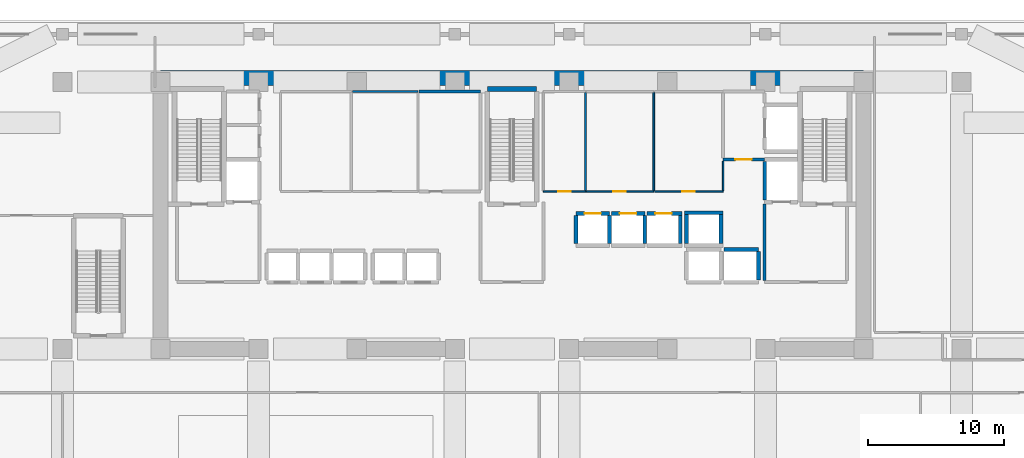
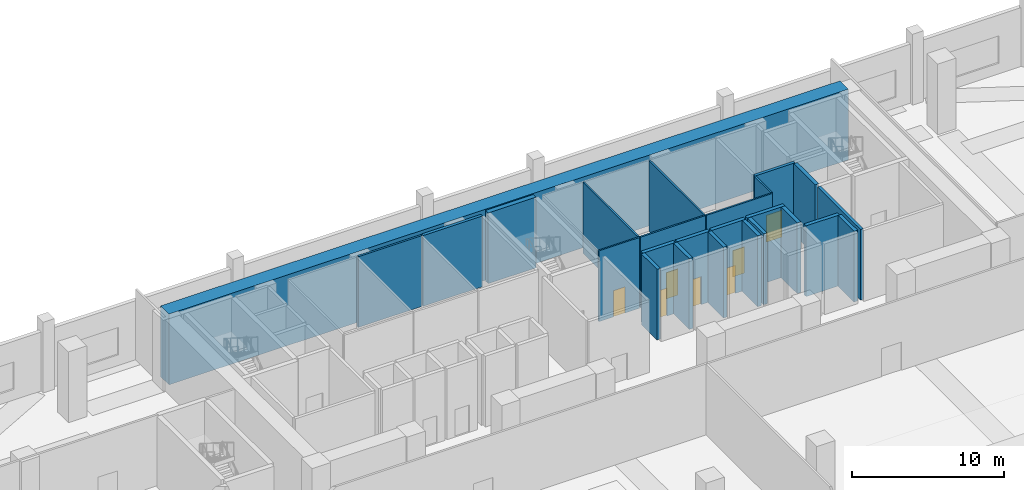
# One storey, part 19 of 25: 25 walls, 7 doors, 7 openings.
"""IFC4 building model written with IfcOpenShell, lengths in metres."""

from ifc_helpers import new_model, si_unit, direction, frame, frame_2d, origin, place, context, subcontext, project, spatial, rectangle, extrude, material, layer, layer_set, type_object, element, fill, save


model = new_model("IFC4")

# Units and contexts
model_context = context("Model", 3, precision=1e-05, world=origin(), true_north=direction((0.0, 1.0)))
body_context = subcontext(model_context, "Body", "Model", "MODEL_VIEW")
ifc_project = project(units=[si_unit("LENGTHUNIT", "METRE"), si_unit("AREAUNIT", "SQUARE_METRE"), si_unit("VOLUMEUNIT", "CUBIC_METRE"), si_unit("PLANEANGLEUNIT", "RADIAN"), si_unit("MASSUNIT", "GRAM", prefix="KILO")], contexts=[model_context])

# Site, building, storey
site_placement = place(None, origin())
site = spatial("IfcSite", under=ifc_project, at=site_placement, CompositionType="ELEMENT")
building_placement = place(site_placement, origin())
building = spatial("IfcBuilding", under=site, at=building_placement, Name="Kaelvorn Grand Hotel", CompositionType="ELEMENT")
storey_placement = place(building_placement, frame((0.0, 0.0, 8.0)))
storey = spatial("IfcBuildingStorey", under=building, at=storey_placement, Name="L01", CompositionType="ELEMENT", Elevation=8.0)

# Wall
ifc_material_1 = material(Name="Concrete C80/95", Category="concrete")
ifc_layer_1 = layer(ifc_material_1, 1.10009765625)
ifc_layer_set_1 = layer_set([ifc_layer_1], Name="Concrete C80/95")
wall_type_1 = type_object("IfcWallType", Name="WL-CORE-1100-C80", PredefinedType="SHEAR", material=ifc_layer_set_1)
wall_1_placement = place(storey_placement, frame((16.199951171875, 49.300048828125, 0.0), z_axis=(0.0, 0.0, 1.0), x_axis=(1.0, 0.0, 0.0)))
element("IfcWall", 1, at=wall_1_placement, inside=storey, type_object=wall_type_1, Name="L01 Rear-Core North Shear Wall", PredefinedType="SHEAR", context=body_context, shape_type="SweptSolid", body=[
    extrude(rectangle(XDim=51.60009765625, YDim=1.10009765625, at=frame_2d((25.800048828125, 0.0))), origin(), (0.0, 0.0, 1.0), 5.679931640625),
])

# Wall, opening, door
ifc_material_2 = material(Name="Moisture-Resistant Tile & Stud Board")
ifc_layer_2 = layer(ifc_material_2, 0.125)
ifc_layer_set_2 = layer_set([ifc_layer_2], Name="Moisture-Resistant Tile & Stud Board")
wall_type_2 = type_object("IfcWallType", Name="WL-PART-125-WET", PredefinedType="PARTITIONING", material=ifc_layer_set_2)
wall_2_placement = place(storey_placement, frame((44.300048828125, 40.949951171875, 0.0), z_axis=(0.0, 0.0, 1.0), x_axis=(1.0, 0.0, 0.0)))
wall_2 = element("IfcWall", 2, at=wall_2_placement, inside=storey, type_object=wall_type_2, Name="L01 Accessible WC S Partition", PredefinedType="PARTITIONING", context=body_context, shape_type="SweptSolid", body=[
    extrude(rectangle(XDim=3.099853515625, YDim=0.125, at=frame_2d((1.5498046875, 0.0))), origin(), (0.0, 0.0, 1.0), 5.679931640625),
])
opening_1_placement = place(wall_2_placement, frame((1.10009765625, 0.0, 0.0)))
opening_1 = element("IfcOpeningElement", 3, at=opening_1_placement, cuts=wall_2, Name="Opening DI4", PredefinedType="OPENING", context=body_context, shape_type="SweptSolid", body=[
    extrude(rectangle(XDim=0.89990234375, YDim=2.10009765625, at=frame_2d((0.449951171875, 1.050048828125))), frame((0.0, 0.072509765625, 0.0), z_axis=(0.0, -1.0, 0.0), x_axis=(1.0, 0.0, 0.0)), (0.0, 0.0, 1.0), 0.14501953125),
])
ifc_material_3 = material(Name="Timber Veneer Leaf", Category="wood")
door_type_1 = type_object("IfcDoorType", Name="DR-INT-BATH-900x2100", OperationType="NOTDEFINED", PredefinedType="DOOR", material=ifc_material_3)
door_1_placement = place(opening_1_placement, origin())
door_1 = element("IfcDoor", 4, at=door_1_placement, inside=storey, type_object=door_type_1, Name="L01 Accessible WC Door", OperationType="SINGLE_SWING_RIGHT", OverallHeight=2.10009765625, OverallWidth=0.89990234375, PredefinedType="DOOR", context=body_context, shape_type="SweptSolid", body=[
    extrude(rectangle(XDim=0.89990234375, YDim=2.10009765625, at=frame_2d((0.449951171875, 1.050048828125))), frame((0.0, 0.02490234375, 0.0), z_axis=(0.0, -1.0, 0.0), x_axis=(1.0, 0.0, 0.0)), (0.0, 0.0, 1.0), 0.050048828125),
])
fill(opening_1, door_1)

# Wall
wall_3_placement = place(storey_placement, frame((47.39990234375, 41.017578125, 0.0), z_axis=(0.0, 0.0, 1.0), x_axis=(0.0, 1.0, 0.0)))
element("IfcWall", 5, at=wall_3_placement, inside=storey, type_object=wall_type_2, Name="L01 Accessible WC E Partition", PredefinedType="PARTITIONING", context=body_context, shape_type="SweptSolid", body=[
    extrude(rectangle(XDim=7.21484375, YDim=0.125, at=frame_2d((3.607421875, 0.0))), origin(), (0.0, 0.0, 1.0), 5.679931640625),
])

# Wall, opening, door
wall_4_placement = place(storey_placement, frame((47.467529296875, 40.949951171875, 0.0), z_axis=(0.0, 0.0, 1.0), x_axis=(1.0, 0.0, 0.0)))
wall_4 = element("IfcWall", 6, at=wall_4_placement, inside=storey, type_object=wall_type_2, Name="L01 Male Staff & Guest Toilets S Partition", PredefinedType="PARTITIONING", context=body_context, shape_type="SweptSolid", body=[
    extrude(rectangle(XDim=4.932373046875, YDim=0.125, at=frame_2d((2.46630859375, 0.0))), origin(), (0.0, 0.0, 1.0), 5.679931640625),
])
opening_2_placement = place(wall_4_placement, frame((1.982421875, 0.0, 0.0)))
opening_2 = element("IfcOpeningElement", 7, at=opening_2_placement, cuts=wall_4, Name="Opening DI4", PredefinedType="OPENING", context=body_context, shape_type="SweptSolid", body=[
    extrude(rectangle(XDim=0.89990234375, YDim=2.10009765625, at=frame_2d((0.449951171875, 1.050048828125))), frame((0.0, 0.072509765625, 0.0), z_axis=(0.0, -1.0, 0.0), x_axis=(1.0, 0.0, 0.0)), (0.0, 0.0, 1.0), 0.14501953125),
])
door_2_placement = place(opening_2_placement, origin())
door_2 = element("IfcDoor", 8, at=door_2_placement, inside=storey, type_object=door_type_1, Name="L01 Male Staff & Guest Toilets Door", OperationType="SINGLE_SWING_LEFT", OverallHeight=2.10009765625, OverallWidth=0.89990234375, PredefinedType="DOOR", context=body_context, shape_type="SweptSolid", body=[
    extrude(rectangle(XDim=0.89990234375, YDim=2.10009765625, at=frame_2d((0.449951171875, 1.050048828125))), frame((0.0, 0.02490234375, 0.0), z_axis=(0.0, -1.0, 0.0), x_axis=(1.0, 0.0, 0.0)), (0.0, 0.0, 1.0), 0.050048828125),
])
fill(opening_2, door_2)

# Wall
wall_5_placement = place(storey_placement, frame((52.39990234375, 41.017578125, 0.0), z_axis=(0.0, 0.0, 1.0), x_axis=(0.0, 1.0, 0.0)))
element("IfcWall", 9, at=wall_5_placement, inside=storey, type_object=wall_type_2, Name="L01 Male Staff & Guest Toilets E Partition", PredefinedType="PARTITIONING", context=body_context, shape_type="SweptSolid", body=[
    extrude(rectangle(XDim=7.21484375, YDim=0.125, at=frame_2d((3.607421875, 0.0))), origin(), (0.0, 0.0, 1.0), 5.679931640625),
])

# Wall, opening, door
wall_6_placement = place(storey_placement, frame((52.467529296875, 40.949951171875, 0.0), z_axis=(0.0, 0.0, 1.0), x_axis=(1.0, 0.0, 0.0)))
wall_6 = element("IfcWall", 10, at=wall_6_placement, inside=storey, type_object=wall_type_2, Name="L01 Female Staff & Guest Toilets S Partition", PredefinedType="PARTITIONING", context=body_context, shape_type="SweptSolid", body=[
    extrude(rectangle(XDim=5.032470703125, YDim=0.125, at=frame_2d((2.51611328125, 0.0))), origin(), (0.0, 0.0, 1.0), 5.679931640625),
])
opening_3_placement = place(wall_6_placement, frame((2.032470703125, 0.0, 0.0)))
opening_3 = element("IfcOpeningElement", 11, at=opening_3_placement, cuts=wall_6, Name="Opening DI4", PredefinedType="OPENING", context=body_context, shape_type="SweptSolid", body=[
    extrude(rectangle(XDim=0.89990234375, YDim=2.10009765625, at=frame_2d((0.449951171875, 1.050048828125))), frame((0.0, 0.072509765625, 0.0), z_axis=(0.0, -1.0, 0.0), x_axis=(1.0, 0.0, 0.0)), (0.0, 0.0, 1.0), 0.14501953125),
])
door_3_placement = place(opening_3_placement, origin())
door_3 = element("IfcDoor", 12, at=door_3_placement, inside=storey, type_object=door_type_1, Name="L01 Female Staff & Guest Toilets Door", OperationType="SINGLE_SWING_RIGHT", OverallHeight=2.10009765625, OverallWidth=0.89990234375, PredefinedType="DOOR", context=body_context, shape_type="SweptSolid", body=[
    extrude(rectangle(XDim=0.89990234375, YDim=2.10009765625, at=frame_2d((0.449951171875, 1.050048828125))), frame((0.0, 0.02490234375, 0.0), z_axis=(0.0, -1.0, 0.0), x_axis=(1.0, 0.0, 0.0)), (0.0, 0.0, 1.0), 0.050048828125),
])
fill(opening_3, door_3)

# Walls
wall_7_placement = place(storey_placement, frame((57.5, 41.017578125, 0.0), z_axis=(0.0, 0.0, 1.0), x_axis=(0.0, 1.0, 0.0)))
element("IfcWall", 13, at=wall_7_placement, inside=storey, type_object=wall_type_2, Name="L01 Female Staff & Guest Toilets E Partition", PredefinedType="PARTITIONING", context=body_context, shape_type="SweptSolid", body=[
    extrude(rectangle(XDim=2.16748046875, YDim=0.125, at=frame_2d((1.083740234375, 0.0))), origin(), (0.0, 0.0, 1.0), 5.679931640625),
])
ifc_material_4 = material(Name="Acoustic Gypsum & Stud Partition")
ifc_layer_3 = layer(ifc_material_4, 0.14990234375)
ifc_layer_set_3 = layer_set([ifc_layer_3], Name="Acoustic Gypsum & Stud Partition")
wall_type_3 = type_object("IfcWallType", Name="WL-PART-150-EI60", PredefinedType="PARTITIONING", material=ifc_layer_set_3)
wall_8_placement = place(storey_placement, frame((30.280029296875, 48.300048828125, 0.0), z_axis=(0.0, 0.0, 1.0), x_axis=(1.0, 0.0, 0.0)))
element("IfcWall", 14, at=wall_8_placement, inside=storey, type_object=wall_type_3, Name="L01 Room Service Servery Pantry N Partition", PredefinedType="PARTITIONING", context=body_context, shape_type="SweptSolid", body=[
    extrude(rectangle(XDim=4.820068359375, YDim=0.14990234375, at=frame_2d((2.41015625, 0.0))), origin(), (0.0, 0.0, 1.0), 5.679931640625),
])
ifc_material_5 = material(Name="Concrete C40/50", Category="concrete")
ifc_layer_4 = layer(ifc_material_5, 0.219970703125)
ifc_layer_set_4 = layer_set([ifc_layer_4], Name="Concrete C40/50")
wall_type_4 = type_object("IfcWallType", Name="WL-PART-220-EI120", PredefinedType="PARTITIONING", material=ifc_layer_set_4)
wall_9_placement = place(storey_placement, frame((60.550048828125, 34.4150390625, 0.0), z_axis=(0.0, 0.0, 1.0), x_axis=(0.0, 1.0, 0.0)))
element("IfcWall", 15, at=wall_9_placement, inside=storey, type_object=wall_type_4, Name="L01 Firefighting Lift Lobby 2 W Partition", PredefinedType="PARTITIONING", context=body_context, shape_type="SweptSolid", body=[
    extrude(rectangle(XDim=5.639892578125, YDim=0.219970703125, at=frame_2d((2.81982421875, 0.0))), origin(), (0.0, 0.0, 1.0), 5.679931640625),
])

# Wall, opening, door
wall_10_placement = place(storey_placement, frame((57.5, 43.300048828125, 0.0), z_axis=(0.0, 0.0, 1.0), x_axis=(1.0, 0.0, 0.0)))
wall_10 = element("IfcWall", 16, at=wall_10_placement, inside=storey, type_object=wall_type_4, Name="L01 Service Lift Lobby S Partition", PredefinedType="PARTITIONING", context=body_context, shape_type="SweptSolid", body=[
    extrude(rectangle(XDim=3.0400390625, YDim=0.219970703125, at=frame_2d((1.52001953125, 0.0))), origin(), (0.0, 0.0, 1.0), 5.679931640625),
])
opening_4_placement = place(wall_10_placement, frame((0.89990234375, 0.0, 0.0)))
opening_4 = element("IfcOpeningElement", 17, at=opening_4_placement, cuts=wall_10, Name="Opening DI2", PredefinedType="OPENING", context=body_context, shape_type="SweptSolid", body=[
    extrude(rectangle(XDim=1.199951171875, YDim=2.14990234375, at=frame_2d((0.60009765625, 1.074951171875))), frame((0.0, 0.1201171875, 0.0), z_axis=(0.0, -1.0, 0.0), x_axis=(1.0, 0.0, 0.0)), (0.0, 0.0, 1.0), 0.239990234375),
])
ifc_material_6 = material(Name="Timber Veneer Fire Leaf", Category="wood")
door_type_2 = type_object("IfcDoorType", Name="DR-INT-FFLOB-1200x2150", OperationType="NOTDEFINED", PredefinedType="DOOR", material=ifc_material_6)
door_4_placement = place(opening_4_placement, origin())
door_4 = element("IfcDoor", 18, at=door_4_placement, inside=storey, type_object=door_type_2, Name="L01 Service Lift Lobby Door", OperationType="SINGLE_SWING_RIGHT", OverallHeight=2.14990234375, OverallWidth=1.199951171875, PredefinedType="DOOR", context=body_context, shape_type="SweptSolid", body=[
    extrude(rectangle(XDim=1.199951171875, YDim=2.14990234375, at=frame_2d((0.60009765625, 1.074951171875))), frame((0.0, 0.02490234375, 0.0), z_axis=(0.0, -1.0, 0.0), x_axis=(1.0, 0.0, 0.0)), (0.0, 0.0, 1.0), 0.050048828125),
])
fill(opening_4, door_4)

# Wall
wall_11_placement = place(storey_placement, frame((35.179931640625, 48.300048828125, 0.0), z_axis=(0.0, 0.0, 1.0), x_axis=(1.0, 0.0, 0.0)))
element("IfcWall", 19, at=wall_11_placement, inside=storey, type_object=wall_type_4, Name="L01 Floor Electrical Switchroom N Partition", PredefinedType="PARTITIONING", context=body_context, shape_type="SweptSolid", body=[
    extrude(rectangle(XDim=4.52001953125, YDim=0.219970703125, at=frame_2d((2.260009765625, 0.0))), origin(), (0.0, 0.0, 1.0), 5.679931640625),
])

# Wall, opening, door
ifc_material_7 = material(Name="Concrete C50/60", Category="concrete")
ifc_layer_5 = layer(ifc_material_7, 0.280029296875)
ifc_layer_set_5 = layer_set([ifc_layer_5], Name="Concrete C50/60")
wall_type_5 = type_object("IfcWallType", Name="WL-SHAFT-280-C50", PredefinedType="SHEAR", material=ifc_layer_set_5)
wall_12_placement = place(storey_placement, frame((46.699951171875, 39.35009765625, 0.0), z_axis=(0.0, 0.0, 1.0), x_axis=(1.0, 0.0, 0.0)))
wall_12 = element("IfcWall", 20, at=wall_12_placement, inside=storey, type_object=wall_type_5, Name="L01 Lift SL-1 Shaft North Wall", PredefinedType="SHEAR", context=body_context, shape_type="SweptSolid", body=[
    extrude(rectangle(XDim=2.449951171875, YDim=0.280029296875, at=frame_2d((1.22509765625, 0.0))), origin(), (0.0, 0.0, 1.0), 5.679931640625),
])
opening_5_placement = place(wall_12_placement, frame((0.625, 0.0, 0.0)))
opening_5 = element("IfcOpeningElement", 21, at=opening_5_placement, cuts=wall_12, Name="Opening LD-SL-1", PredefinedType="OPENING", context=body_context, shape_type="SweptSolid", body=[
    extrude(rectangle(XDim=1.199951171875, YDim=2.25, at=frame_2d((0.60009765625, 1.125))), frame((0.0, 0.14990234375, 0.0), z_axis=(0.0, -1.0, 0.0), x_axis=(1.0, 0.0, 0.0)), (0.0, 0.0, 1.0), 0.300048828125),
])
ifc_material_8 = material(Name="Stainless Steel", Category="steel")
door_type_3 = type_object("IfcDoorType", Name="DR-LIFT-SHUT-1200x2250", OperationType="DOUBLE_DOOR_SLIDING", PredefinedType="DOOR", material=ifc_material_8)
door_5_placement = place(opening_5_placement, origin())
door_5 = element("IfcDoor", 22, at=door_5_placement, inside=storey, type_object=door_type_3, Name="L01 Lift SL-1 Sliding Landing Door LD-SL-1", OperationType="DOUBLE_DOOR_SLIDING", OverallHeight=2.25, OverallWidth=1.199951171875, PredefinedType="DOOR", context=body_context, shape_type="SweptSolid", body=[
    extrude(rectangle(XDim=1.199951171875, YDim=2.25, at=frame_2d((0.60009765625, 1.125))), frame((0.0, 0.02490234375, 0.0), z_axis=(0.0, -1.0, 0.0), x_axis=(1.0, 0.0, 0.0)), (0.0, 0.0, 1.0), 0.050048828125),
])
fill(opening_5, door_5)

# Walls
for number, where, z_axis, x_axis, name in (
    (23, (46.699951171875, 37.14501953125, 0.0), (0.0, 0.0, 1.0), (0.0, 1.0, 0.0), "L01 Lift SL-1 Shaft West Wall"),
    (24, (49.14990234375, 37.14501953125, 0.0), (0.0, 0.0, 1.0), (0.0, 1.0, 0.0), "L01 Lift SL-1 Shaft East Wall"),
):
    element("IfcWall", number, at=place(storey_placement, frame(where, z_axis=z_axis, x_axis=x_axis)), inside=storey, type_object=wall_type_5, Name=name, PredefinedType="SHEAR", context=body_context, shape_type="SweptSolid", body=[
        extrude(rectangle(XDim=2.06005859375, YDim=0.280029296875, at=frame_2d((1.030029296875, 0.0))), origin(), (0.0, 0.0, 1.0), 5.679931640625),
    ])

# Wall, opening, door
wall_13_placement = place(storey_placement, frame((49.300048828125, 39.35009765625, 0.0), z_axis=(0.0, 0.0, 1.0), x_axis=(1.0, 0.0, 0.0)))
wall_13 = element("IfcWall", 25, at=wall_13_placement, inside=storey, type_object=wall_type_5, Name="L01 Lift SL-2 Shaft North Wall", PredefinedType="SHEAR", context=body_context, shape_type="SweptSolid", body=[
    extrude(rectangle(XDim=2.449951171875, YDim=0.280029296875, at=frame_2d((1.22509765625, 0.0))), origin(), (0.0, 0.0, 1.0), 5.679931640625),
])
opening_6_placement = place(wall_13_placement, frame((0.625, 0.0, 0.0)))
opening_6 = element("IfcOpeningElement", 26, at=opening_6_placement, cuts=wall_13, Name="Opening LD-SL-2", PredefinedType="OPENING", context=body_context, shape_type="SweptSolid", body=[
    extrude(rectangle(XDim=1.199951171875, YDim=2.25, at=frame_2d((0.60009765625, 1.125))), frame((0.0, 0.14990234375, 0.0), z_axis=(0.0, -1.0, 0.0), x_axis=(1.0, 0.0, 0.0)), (0.0, 0.0, 1.0), 0.300048828125),
])
door_6_placement = place(opening_6_placement, origin())
door_6 = element("IfcDoor", 27, at=door_6_placement, inside=storey, type_object=door_type_3, Name="L01 Lift SL-2 Sliding Landing Door LD-SL-2", OperationType="DOUBLE_DOOR_SLIDING", OverallHeight=2.25, OverallWidth=1.199951171875, PredefinedType="DOOR", context=body_context, shape_type="SweptSolid", body=[
    extrude(rectangle(XDim=1.199951171875, YDim=2.25, at=frame_2d((0.60009765625, 1.125))), frame((0.0, 0.02490234375, 0.0), z_axis=(0.0, -1.0, 0.0), x_axis=(1.0, 0.0, 0.0)), (0.0, 0.0, 1.0), 0.050048828125),
])
fill(opening_6, door_6)

# Wall
wall_14_placement = place(storey_placement, frame((51.75, 37.14501953125, 0.0), z_axis=(0.0, 0.0, 1.0), x_axis=(0.0, 1.0, 0.0)))
element("IfcWall", 28, at=wall_14_placement, inside=storey, type_object=wall_type_5, Name="L01 Lift SL-2 Shaft East Wall", PredefinedType="SHEAR", context=body_context, shape_type="SweptSolid", body=[
    extrude(rectangle(XDim=2.06005859375, YDim=0.280029296875, at=frame_2d((1.030029296875, 0.0))), origin(), (0.0, 0.0, 1.0), 5.679931640625),
])

# Wall, opening, door
wall_15_placement = place(storey_placement, frame((51.89990234375, 39.35009765625, 0.0), z_axis=(0.0, 0.0, 1.0), x_axis=(1.0, 0.0, 0.0)))
wall_15 = element("IfcWall", 29, at=wall_15_placement, inside=storey, type_object=wall_type_5, Name="L01 Lift SL-3 Shaft North Wall", PredefinedType="SHEAR", context=body_context, shape_type="SweptSolid", body=[
    extrude(rectangle(XDim=2.590087890625, YDim=0.280029296875, at=frame_2d((1.294921875, 0.0))), origin(), (0.0, 0.0, 1.0), 5.679931640625),
])
opening_7_placement = place(wall_15_placement, frame((0.625, 0.0, 0.0)))
opening_7 = element("IfcOpeningElement", 30, at=opening_7_placement, cuts=wall_15, Name="Opening LD-SL-3", PredefinedType="OPENING", context=body_context, shape_type="SweptSolid", body=[
    extrude(rectangle(XDim=1.199951171875, YDim=2.25, at=frame_2d((0.60009765625, 1.125))), frame((0.0, 0.14990234375, 0.0), z_axis=(0.0, -1.0, 0.0), x_axis=(1.0, 0.0, 0.0)), (0.0, 0.0, 1.0), 0.300048828125),
])
door_7_placement = place(opening_7_placement, origin())
door_7 = element("IfcDoor", 31, at=door_7_placement, inside=storey, type_object=door_type_3, Name="L01 Lift SL-3 Sliding Landing Door LD-SL-3", OperationType="DOUBLE_DOOR_SLIDING", OverallHeight=2.25, OverallWidth=1.199951171875, PredefinedType="DOOR", context=body_context, shape_type="SweptSolid", body=[
    extrude(rectangle(XDim=1.199951171875, YDim=2.25, at=frame_2d((0.60009765625, 1.125))), frame((0.0, 0.02490234375, 0.0), z_axis=(0.0, -1.0, 0.0), x_axis=(1.0, 0.0, 0.0)), (0.0, 0.0, 1.0), 0.050048828125),
])
fill(opening_7, door_7)

# Walls
wall_16_placement = place(storey_placement, frame((54.35009765625, 37.14501953125, 0.0), z_axis=(0.0, 0.0, 1.0), x_axis=(0.0, 1.0, 0.0)))
element("IfcWall", 32, at=wall_16_placement, inside=storey, type_object=wall_type_5, Name="L01 Lift SL-3 Shaft East Wall", PredefinedType="SHEAR", context=body_context, shape_type="SweptSolid", body=[
    extrude(rectangle(XDim=2.06005859375, YDim=0.280029296875, at=frame_2d((1.030029296875, 0.0))), origin(), (0.0, 0.0, 1.0), 5.679931640625),
])
wall_17_placement = place(storey_placement, frame((57.550048828125, 36.699951171875, 0.0), z_axis=(0.0, 0.0, 1.0), x_axis=(1.0, 0.0, 0.0)))
element("IfcWall", 33, at=wall_17_placement, inside=storey, type_object=wall_type_5, Name="L01 Lift OL-2 Shaft North Wall", PredefinedType="SHEAR", context=body_context, shape_type="SweptSolid", body=[
    extrude(rectangle(XDim=2.550048828125, YDim=0.280029296875, at=frame_2d((1.27490234375, 0.0))), origin(), (0.0, 0.0, 1.0), 5.679931640625),
])
wall_18_placement = place(storey_placement, frame((60.10009765625, 34.445068359375, 0.0), z_axis=(0.0, 0.0, 1.0), x_axis=(0.0, 1.0, 0.0)))
element("IfcWall", 34, at=wall_18_placement, inside=storey, type_object=wall_type_5, Name="L01 Lift OL-2 Shaft East Wall", PredefinedType="SHEAR", context=body_context, shape_type="SweptSolid", body=[
    extrude(rectangle(XDim=2.10986328125, YDim=0.280029296875, at=frame_2d((1.054931640625, 0.0))), origin(), (0.0, 0.0, 1.0), 5.679931640625),
])
wall_19_placement = place(storey_placement, frame((54.659912109375, 39.39990234375, 0.0), z_axis=(0.0, 0.0, 1.0), x_axis=(1.0, 0.0, 0.0)))
element("IfcWall", 35, at=wall_19_placement, inside=storey, type_object=wall_type_5, Name="L01 Lift OL-3 Shaft North Wall", PredefinedType="SHEAR", context=body_context, shape_type="SweptSolid", body=[
    extrude(rectangle(XDim=2.830078125, YDim=0.280029296875, at=frame_2d((1.4150390625, 0.0))), origin(), (0.0, 0.0, 1.0), 5.679931640625),
])
for number, where, z_axis, x_axis, name in (
    (36, (54.800048828125, 37.14501953125, 0.0), (0.0, 0.0, 1.0), (0.0, 1.0, 0.0), "L01 Lift OL-3 Shaft West Wall"),
    (37, (57.35009765625, 37.14501953125, 0.0), (0.0, 0.0, 1.0), (0.0, 1.0, 0.0), "L01 Lift OL-3 Shaft East Wall"),
):
    element("IfcWall", number, at=place(storey_placement, frame(where, z_axis=z_axis, x_axis=x_axis)), inside=storey, type_object=wall_type_5, Name=name, PredefinedType="SHEAR", context=body_context, shape_type="SweptSolid", body=[
        extrude(rectangle(XDim=2.10986328125, YDim=0.280029296875, at=frame_2d((1.054931640625, 0.0))), origin(), (0.0, 0.0, 1.0), 5.679931640625),
    ])
wall_20_placement = place(storey_placement, frame((60.550048828125, 40.344970703125, 0.0), z_axis=(0.0, 0.0, 1.0), x_axis=(0.0, 1.0, 0.0)))
element("IfcWall", 38, at=wall_20_placement, inside=storey, type_object=wall_type_5, Name="L01 Lift FFL2 Shaft West Wall", PredefinedType="SHEAR", context=body_context, shape_type="SweptSolid", body=[
    extrude(rectangle(XDim=2.81005859375, YDim=0.280029296875, at=frame_2d((1.405029296875, 0.0))), origin(), (0.0, 0.0, 1.0), 5.679931640625),
])
ifc_material_9 = material(Name="Concrete C60/75", Category="concrete")
ifc_layer_6 = layer(ifc_material_9, 0.35009765625)
ifc_layer_set_6 = layer_set([ifc_layer_6], Name="Concrete C60/75")
wall_type_6 = type_object("IfcWallType", Name="WL-SHAFT-350-C60", PredefinedType="SHEAR", material=ifc_layer_set_6)
wall_21_placement = place(storey_placement, frame((40.18505859375, 48.47509765625, 0.0), z_axis=(0.0, 0.0, 1.0), x_axis=(1.0, 0.0, 0.0)))
element("IfcWall", 39, at=wall_21_placement, inside=storey, type_object=wall_type_6, Name="L01 ST2 Stair Shaft North Wall", PredefinedType="SHEAR", context=body_context, shape_type="SweptSolid", body=[
    extrude(rectangle(XDim=3.6298828125, YDim=0.35009765625, at=frame_2d((1.81494140625, 0.0))), origin(), (0.0, 0.0, 1.0), 5.679931640625),
])

save(model, "model.ifc")
